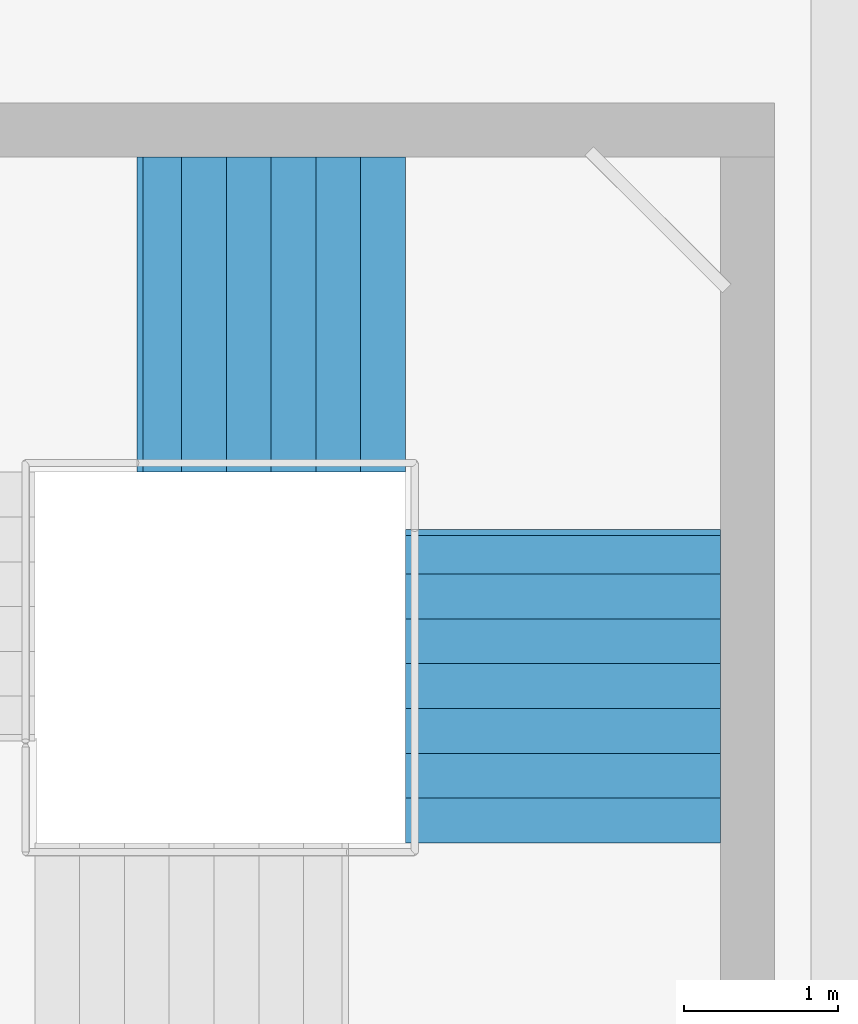
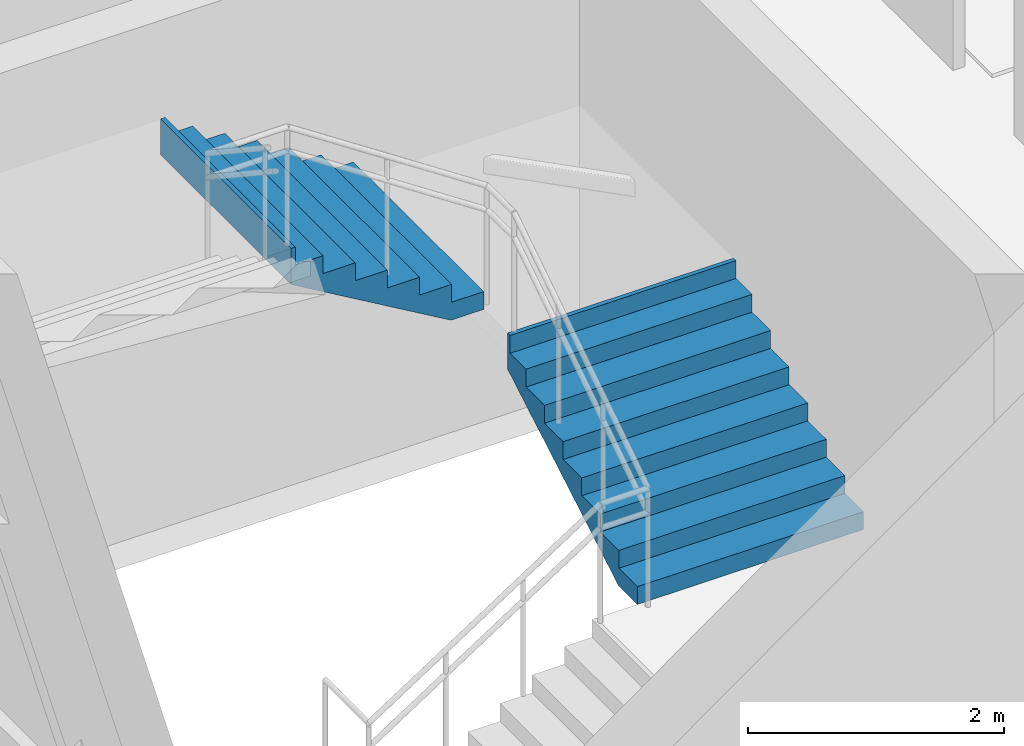
# One storey, part 51 of 58: 2 stair flights, 1 element without a shape of its own.
"""IFC4 building model written with IfcOpenShell, lengths in metres."""

from ifc_helpers import new_model, si_unit, direction, frame, origin, place, context, subcontext, project, spatial, triangles, material, type_object, element, aggregate, save


model = new_model("IFC4")

# Units and contexts
model_context = context("Model", 3, precision=1e-05, world=origin(), true_north=direction((0.0, 1.0)))
body_context = subcontext(model_context, "Body", "Model", "MODEL_VIEW")
ifc_project = project(units=[si_unit("LENGTHUNIT", "METRE"), si_unit("AREAUNIT", "SQUARE_METRE"), si_unit("VOLUMEUNIT", "CUBIC_METRE"), si_unit("PLANEANGLEUNIT", "RADIAN"), si_unit("MASSUNIT", "GRAM", prefix="KILO")], contexts=[model_context])

# Site, building, storey
site_placement = place(None, origin())
site = spatial("IfcSite", under=ifc_project, at=site_placement, CompositionType="ELEMENT")
building_placement = place(site_placement, origin())
building = spatial("IfcBuilding", under=site, at=building_placement, Name="Sillaruma Civic Art Gallery", CompositionType="ELEMENT")
storey_placement = place(building_placement, frame((0.0, 0.0, 52.02001953125)))
storey = spatial("IfcBuildingStorey", under=building, at=storey_placement, Name="L10", CompositionType="ELEMENT", Elevation=52.02001953125)

# Stair, stair flights
ifc_material = material(Name="Concrete H35 (35 MPa)", Category="concrete")
stair_type = type_object("IfcStairType", Name="STR-4F-30", PredefinedType="USERDEFINED", material=ifc_material)
stair_placement = place(storey_placement, origin())
stair = element("IfcStair", 1, at=stair_placement, inside=storey, type_object=stair_type, Name="Protected Exit Stair ST-03 (West Bar South) (L10)", ObjectType="THREE_RETURN_STAIR", PredefinedType="USERDEFINED")
stair_flight_type_1 = type_object("IfcStairFlightType", Name="SFL-STR-7", PredefinedType="STRAIGHT", material=ifc_material)
stair_flight_1_placement = place(storey_placement, frame((67.199951171875, 36.8701171875, 2.719970703125), z_axis=(0.0, 0.0, 1.0), x_axis=(-1.0, 0.0, 0.0)))
stair_flight_1 = element("IfcStairFlight", 2, at=stair_flight_1_placement, type_object=stair_flight_type_1, Name="ST-03 flight 3", NumberOfRisers=7, NumberOfTreads=6, PredefinedType="STRAIGHT", RiserHeight=0.17, TreadLength=0.29, context=body_context, shape_type="Tessellation", body=[
    triangles([(0.0, -1.02001953125, 0.0), (0.29, -1.02001953125, 0.0), (0.296404, -1.02001953125, 0.0), (0.58, -1.02001953125, 0.166246), (0.87, -1.02001953125, 0.336246), (1.16, -1.02001953125, 0.506246), (1.45, -1.02001953125, 0.676246), (1.69999, -1.02001953125, 0.822792), (1.73999, -1.02001953125, 0.84624), (1.73999, -1.02001953125, 1.19), (1.69999, -1.02001953125, 1.19), (1.69999, -1.02001953125, 1.02), (1.45, -1.02001953125, 1.02), (1.45, -1.02001953125, 0.85), (1.16, -1.02001953125, 0.85), (1.16, -1.02001953125, 0.68), (0.87, -1.02001953125, 0.68), (0.87, -1.02001953125, 0.51), (0.58, -1.02001953125, 0.51), (0.58, -1.02001953125, 0.34), (0.296404, -1.02001953125, 0.34), (0.29, -1.02001953125, 0.34), (0.29, -1.02001953125, 0.17), (0.0, -1.02001953125, 0.17), (0.0, -0.05, 0.0), (0.29, -0.05, 0.0), (0.296404, -0.05, 0.0), (0.58, -0.05, 0.166246), (0.87, -0.05, 0.336246), (1.16, -0.05, 0.506246), (1.45, -0.05, 0.676246), (1.69999, -0.05, 0.822792), (1.73999, -0.05, 0.84624), (1.73999, -0.05, 1.19), (1.69999, -0.05, 1.19), (1.69999, -0.05, 1.02), (1.45, -0.05, 1.02), (1.45, -0.05, 0.85), (1.16, -0.05, 0.85), (1.16, -0.05, 0.68), (0.87, -0.05, 0.68), (0.87, -0.05, 0.51), (0.58, -0.05, 0.51), (0.58, -0.05, 0.34), (0.296404, -0.05, 0.34), (0.29, -0.05, 0.34), (0.29, -0.05, 0.17), (0.0, -0.05, 0.17), (0.0, -0.0375, 0.0), (0.29, -0.0375, 0.0), (0.296404, -0.0375, 0.0), (0.58, -0.0375, 0.166246), (0.87, -0.0375, 0.336246), (1.16, -0.0375, 0.506246), (1.45, -0.0375, 0.676246), (1.69999, -0.0375, 0.822792), (1.73999, -0.0375, 0.84624), (1.73999, -0.0375, 1.19), (1.69999, -0.0375, 1.19), (1.69999, -0.0375, 1.02), (1.45, -0.0375, 1.02), (1.45, -0.0375, 0.85), (1.16, -0.0375, 0.85), (1.16, -0.0375, 0.68), (0.87, -0.0375, 0.68), (0.87, -0.0375, 0.51), (0.58, -0.0375, 0.51), (0.58, -0.0375, 0.34), (0.296404, -0.0375, 0.34), (0.29, -0.0375, 0.34), (0.29, -0.0375, 0.17), (0.0, -0.0375, 0.17), (0.0, -0.025, 0.0), (0.29, -0.025, 0.0), (0.296404, -0.025, 0.0), (0.58, -0.025, 0.166246), (0.87, -0.025, 0.336246), (1.16, -0.025, 0.506246), (1.45, -0.025, 0.676246), (1.69999, -0.025, 0.822792), (1.73999, -0.025, 0.84624), (1.73999, -0.025, 1.19), (1.69999, -0.025, 1.19), (1.69999, -0.025, 1.02), (1.45, -0.025, 1.02), (1.45, -0.025, 0.85), (1.16, -0.025, 0.85), (1.16, -0.025, 0.68), (0.87, -0.025, 0.68), (0.87, -0.025, 0.51), (0.58, -0.025, 0.51), (0.58, -0.025, 0.34), (0.296404, -0.025, 0.34), (0.29, -0.025, 0.34), (0.29, -0.025, 0.17), (0.0, -0.025, 0.17), (0.0, -0.0125, 0.0), (0.29, -0.0125, 0.0), (0.296404, -0.0125, 0.0), (0.58, -0.0125, 0.166246), (0.87, -0.0125, 0.336246), (1.16, -0.0125, 0.506246), (1.45, -0.0125, 0.676246), (1.69999, -0.0125, 0.822792), (1.73999, -0.0125, 0.84624), (1.73999, -0.0125, 1.19), (1.69999, -0.0125, 1.19), (1.69999, -0.0125, 1.02), (1.45, -0.0125, 1.02), (1.45, -0.0125, 0.85), (1.16, -0.0125, 0.85), (1.16, -0.0125, 0.68), (0.87, -0.0125, 0.68), (0.87, -0.0125, 0.51), (0.58, -0.0125, 0.51), (0.58, -0.0125, 0.34), (0.296404, -0.0125, 0.34), (0.29, -0.0125, 0.34), (0.29, -0.0125, 0.17), (0.0, -0.0125, 0.17), (0.0, 0.0, 0.0), (0.29, 0.0, 0.0), (0.296404, 0.0, 0.0), (0.58, 0.0, 0.166246), (0.87, 0.0, 0.336246), (1.16, 0.0, 0.506246), (1.45, 0.0, 0.676246), (1.69999, 0.0, 0.822792), (1.73999, 0.0, 0.84624), (1.73999, 0.0, 1.19), (1.69999, 0.0, 1.19), (1.69999, 0.0, 1.02), (1.45, 0.0, 1.02), (1.45, 0.0, 0.85), (1.16, 0.0, 0.85), (1.16, 0.0, 0.68), (0.87, 0.0, 0.68), (0.87, 0.0, 0.51), (0.58, 0.0, 0.51), (0.58, 0.0, 0.34), (0.296404, 0.0, 0.34), (0.29, 0.0, 0.34), (0.29, 0.0, 0.17), (0.0, 0.0, 0.17), (0.0, 0.0125, 0.0), (0.29, 0.0125, 0.0), (0.296404, 0.0125, 0.0), (0.58, 0.0125, 0.166246), (0.87, 0.0125, 0.336246), (1.16, 0.0125, 0.506246), (1.45, 0.0125, 0.676246), (1.69999, 0.0125, 0.822792), (1.73999, 0.0125, 0.84624), (1.73999, 0.0125, 1.19), (1.69999, 0.0125, 1.19), (1.69999, 0.0125, 1.02), (1.45, 0.0125, 1.02), (1.45, 0.0125, 0.85), (1.16, 0.0125, 0.85), (1.16, 0.0125, 0.68), (0.87, 0.0125, 0.68), (0.87, 0.0125, 0.51), (0.58, 0.0125, 0.51), (0.58, 0.0125, 0.34), (0.296404, 0.0125, 0.34), (0.29, 0.0125, 0.34), (0.29, 0.0125, 0.17), (0.0, 0.0125, 0.17), (0.0, 0.025, 0.0), (0.29, 0.025, 0.0), (0.296404, 0.025, 0.0), (0.58, 0.025, 0.166246), (0.87, 0.025, 0.336246), (1.16, 0.025, 0.506246), (1.45, 0.025, 0.676246), (1.69999, 0.025, 0.822792), (1.73999, 0.025, 0.84624), (1.73999, 0.025, 1.19), (1.69999, 0.025, 1.19), (1.69999, 0.025, 1.02), (1.45, 0.025, 1.02), (1.45, 0.025, 0.85), (1.16, 0.025, 0.85), (1.16, 0.025, 0.68), (0.87, 0.025, 0.68), (0.87, 0.025, 0.51), (0.58, 0.025, 0.51), (0.58, 0.025, 0.34), (0.296404, 0.025, 0.34), (0.29, 0.025, 0.34), (0.29, 0.025, 0.17), (0.0, 0.025, 0.17), (0.0, 0.0375, 0.0), (0.29, 0.0375, 0.0), (0.296404, 0.0375, 0.0), (0.58, 0.0375, 0.166246), (0.87, 0.0375, 0.336246), (1.16, 0.0375, 0.506246), (1.45, 0.0375, 0.676246), (1.69999, 0.0375, 0.822792), (1.73999, 0.0375, 0.84624), (1.73999, 0.0375, 1.19), (1.69999, 0.0375, 1.19), (1.69999, 0.0375, 1.02), (1.45, 0.0375, 1.02), (1.45, 0.0375, 0.85), (1.16, 0.0375, 0.85), (1.16, 0.0375, 0.68), (0.87, 0.0375, 0.68), (0.87, 0.0375, 0.51), (0.58, 0.0375, 0.51), (0.58, 0.0375, 0.34), (0.296404, 0.0375, 0.34), (0.29, 0.0375, 0.34), (0.29, 0.0375, 0.17), (0.0, 0.0375, 0.17), (0.0, 0.05, 0.0), (0.29, 0.05, 0.0), (0.296404, 0.05, 0.0), (0.58, 0.05, 0.166246), (0.87, 0.05, 0.336246), (1.16, 0.05, 0.506246), (1.45, 0.05, 0.676246), (1.69999, 0.05, 0.822792), (1.73999, 0.05, 0.84624), (1.73999, 0.05, 1.19), (1.69999, 0.05, 1.19), (1.69999, 0.05, 1.02), (1.45, 0.05, 1.02), (1.45, 0.05, 0.85), (1.16, 0.05, 0.85), (1.16, 0.05, 0.68), (0.87, 0.05, 0.68), (0.87, 0.05, 0.51), (0.58, 0.05, 0.51), (0.58, 0.05, 0.34), (0.296404, 0.05, 0.34), (0.29, 0.05, 0.34), (0.29, 0.05, 0.17), (0.0, 0.05, 0.17), (0.0, 1.02001953125, 0.0), (0.29, 1.02001953125, 0.0), (0.296404, 1.02001953125, 0.0), (0.58, 1.02001953125, 0.166246), (0.87, 1.02001953125, 0.336246), (1.16, 1.02001953125, 0.506246), (1.45, 1.02001953125, 0.676246), (1.69999, 1.02001953125, 0.822792), (1.73999, 1.02001953125, 0.84624), (1.73999, 1.02001953125, 1.19), (1.69999, 1.02001953125, 1.19), (1.69999, 1.02001953125, 1.02), (1.45, 1.02001953125, 1.02), (1.45, 1.02001953125, 0.85), (1.16, 1.02001953125, 0.85), (1.16, 1.02001953125, 0.68), (0.87, 1.02001953125, 0.68), (0.87, 1.02001953125, 0.51), (0.58, 1.02001953125, 0.51), (0.58, 1.02001953125, 0.34), (0.296404, 1.02001953125, 0.34), (0.29, 1.02001953125, 0.34), (0.29, 1.02001953125, 0.17), (0.0, 1.02001953125, 0.17)], [[1, 2, 23], [1, 23, 24], [2, 3, 21], [2, 21, 23], [23, 21, 22], [3, 4, 20], [3, 20, 21], [4, 5, 18], [4, 18, 20], [20, 18, 19], [5, 6, 16], [5, 16, 18], [18, 16, 17], [6, 7, 14], [6, 14, 16], [16, 14, 15], [7, 8, 12], [7, 12, 14], [14, 12, 13], [8, 9, 10], [8, 10, 12], [12, 10, 11], [263, 242, 241], [264, 263, 241], [261, 243, 242], [263, 261, 242], [262, 261, 263], [260, 244, 243], [261, 260, 243], [258, 245, 244], [260, 258, 244], [259, 258, 260], [256, 246, 245], [258, 256, 245], [257, 256, 258], [254, 247, 246], [256, 254, 246], [255, 254, 256], [252, 248, 247], [254, 252, 247], [253, 252, 254], [250, 249, 248], [252, 250, 248], [251, 250, 252], [2, 1, 25], [2, 25, 26], [3, 2, 26], [3, 26, 27], [4, 3, 27], [4, 27, 28], [5, 4, 28], [5, 28, 29], [6, 5, 29], [6, 29, 30], [7, 6, 30], [7, 30, 31], [8, 7, 31], [8, 31, 32], [9, 8, 32], [9, 32, 33], [10, 9, 33], [10, 33, 34], [11, 10, 34], [11, 34, 35], [12, 11, 35], [12, 35, 36], [13, 12, 36], [13, 36, 37], [14, 13, 37], [14, 37, 38], [15, 14, 38], [15, 38, 39], [16, 15, 39], [16, 39, 40], [17, 16, 40], [17, 40, 41], [18, 17, 41], [18, 41, 42], [19, 18, 42], [19, 42, 43], [20, 19, 43], [20, 43, 44], [21, 20, 44], [21, 44, 45], [22, 21, 45], [22, 45, 46], [23, 22, 46], [23, 46, 47], [24, 23, 47], [24, 47, 48], [1, 24, 48], [1, 48, 25], [26, 25, 49], [26, 49, 50], [27, 26, 50], [27, 50, 51], [28, 27, 51], [28, 51, 52], [29, 28, 52], [29, 52, 53], [30, 29, 53], [30, 53, 54], [31, 30, 54], [31, 54, 55], [32, 31, 55], [32, 55, 56], [33, 32, 56], [33, 56, 57], [34, 33, 57], [34, 57, 58], [35, 34, 58], [35, 58, 59], [36, 35, 59], [36, 59, 60], [37, 36, 60], [37, 60, 61], [38, 37, 61], [38, 61, 62], [39, 38, 62], [39, 62, 63], [40, 39, 63], [40, 63, 64], [41, 40, 64], [41, 64, 65], [42, 41, 65], [42, 65, 66], [43, 42, 66], [43, 66, 67], [44, 43, 67], [44, 67, 68], [45, 44, 68], [45, 68, 69], [46, 45, 69], [46, 69, 70], [47, 46, 70], [47, 70, 71], [48, 47, 71], [48, 71, 72], [25, 48, 72], [25, 72, 49], [50, 49, 73], [50, 73, 74], [51, 50, 74], [51, 74, 75], [52, 51, 75], [52, 75, 76], [53, 52, 76], [53, 76, 77], [54, 53, 77], [54, 77, 78], [55, 54, 78], [55, 78, 79], [56, 55, 79], [56, 79, 80], [57, 56, 80], [57, 80, 81], [58, 57, 81], [58, 81, 82], [59, 58, 82], [59, 82, 83], [60, 59, 83], [60, 83, 84], [61, 60, 84], [61, 84, 85], [62, 61, 85], [62, 85, 86], [63, 62, 86], [63, 86, 87], [64, 63, 87], [64, 87, 88], [65, 64, 88], [65, 88, 89], [66, 65, 89], [66, 89, 90], [67, 66, 90], [67, 90, 91], [68, 67, 91], [68, 91, 92], [69, 68, 92], [69, 92, 93], [70, 69, 93], [70, 93, 94], [71, 70, 94], [71, 94, 95], [72, 71, 95], [72, 95, 96], [49, 72, 96], [49, 96, 73], [74, 73, 97], [74, 97, 98], [75, 74, 98], [75, 98, 99], [76, 75, 99], [76, 99, 100], [77, 76, 100], [77, 100, 101], [78, 77, 101], [78, 101, 102], [79, 78, 102], [79, 102, 103], [80, 79, 103], [80, 103, 104], [81, 80, 104], [81, 104, 105], [82, 81, 105], [82, 105, 106], [83, 82, 106], [83, 106, 107], [84, 83, 107], [84, 107, 108], [85, 84, 108], [85, 108, 109], [86, 85, 109], [86, 109, 110], [87, 86, 110], [87, 110, 111], [88, 87, 111], [88, 111, 112], [89, 88, 112], [89, 112, 113], [90, 89, 113], [90, 113, 114], [91, 90, 114], [91, 114, 115], [92, 91, 115], [92, 115, 116], [93, 92, 116], [93, 116, 117], [94, 93, 117], [94, 117, 118], [95, 94, 118], [95, 118, 119], [96, 95, 119], [96, 119, 120], [73, 96, 120], [73, 120, 97], [98, 97, 121], [98, 121, 122], [99, 98, 122], [99, 122, 123], [100, 99, 123], [100, 123, 124], [101, 100, 124], [101, 124, 125], [102, 101, 125], [102, 125, 126], [103, 102, 126], [103, 126, 127], [104, 103, 127], [104, 127, 128], [105, 104, 128], [105, 128, 129], [106, 105, 129], [106, 129, 130], [107, 106, 130], [107, 130, 131], [108, 107, 131], [108, 131, 132], [109, 108, 132], [109, 132, 133], [110, 109, 133], [110, 133, 134], [111, 110, 134], [111, 134, 135], [112, 111, 135], [112, 135, 136], [113, 112, 136], [113, 136, 137], [114, 113, 137], [114, 137, 138], [115, 114, 138], [115, 138, 139], [116, 115, 139], [116, 139, 140], [117, 116, 140], [117, 140, 141], [118, 117, 141], [118, 141, 142], [119, 118, 142], [119, 142, 143], [120, 119, 143], [120, 143, 144], [97, 120, 144], [97, 144, 121], [122, 121, 145], [122, 145, 146], [123, 122, 146], [123, 146, 147], [124, 123, 147], [124, 147, 148], [125, 124, 148], [125, 148, 149], [126, 125, 149], [126, 149, 150], [127, 126, 150], [127, 150, 151], [128, 127, 151], [128, 151, 152], [129, 128, 152], [129, 152, 153], [130, 129, 153], [130, 153, 154], [131, 130, 154], [131, 154, 155], [132, 131, 155], [132, 155, 156], [133, 132, 156], [133, 156, 157], [134, 133, 157], [134, 157, 158], [135, 134, 158], [135, 158, 159], [136, 135, 159], [136, 159, 160], [137, 136, 160], [137, 160, 161], [138, 137, 161], [138, 161, 162], [139, 138, 162], [139, 162, 163], [140, 139, 163], [140, 163, 164], [141, 140, 164], [141, 164, 165], [142, 141, 165], [142, 165, 166], [143, 142, 166], [143, 166, 167], [144, 143, 167], [144, 167, 168], [121, 144, 168], [121, 168, 145], [146, 145, 169], [146, 169, 170], [147, 146, 170], [147, 170, 171], [148, 147, 171], [148, 171, 172], [149, 148, 172], [149, 172, 173], [150, 149, 173], [150, 173, 174], [151, 150, 174], [151, 174, 175], [152, 151, 175], [152, 175, 176], [153, 152, 176], [153, 176, 177], [154, 153, 177], [154, 177, 178], [155, 154, 178], [155, 178, 179], [156, 155, 179], [156, 179, 180], [157, 156, 180], [157, 180, 181], [158, 157, 181], [158, 181, 182], [159, 158, 182], [159, 182, 183], [160, 159, 183], [160, 183, 184], [161, 160, 184], [161, 184, 185], [162, 161, 185], [162, 185, 186], [163, 162, 186], [163, 186, 187], [164, 163, 187], [164, 187, 188], [165, 164, 188], [165, 188, 189], [166, 165, 189], [166, 189, 190], [167, 166, 190], [167, 190, 191], [168, 167, 191], [168, 191, 192], [145, 168, 192], [145, 192, 169], [170, 169, 193], [170, 193, 194], [171, 170, 194], [171, 194, 195], [172, 171, 195], [172, 195, 196], [173, 172, 196], [173, 196, 197], [174, 173, 197], [174, 197, 198], [175, 174, 198], [175, 198, 199], [176, 175, 199], [176, 199, 200], [177, 176, 200], [177, 200, 201], [178, 177, 201], [178, 201, 202], [179, 178, 202], [179, 202, 203], [180, 179, 203], [180, 203, 204], [181, 180, 204], [181, 204, 205], [182, 181, 205], [182, 205, 206], [183, 182, 206], [183, 206, 207], [184, 183, 207], [184, 207, 208], [185, 184, 208], [185, 208, 209], [186, 185, 209], [186, 209, 210], [187, 186, 210], [187, 210, 211], [188, 187, 211], [188, 211, 212], [189, 188, 212], [189, 212, 213], [190, 189, 213], [190, 213, 214], [191, 190, 214], [191, 214, 215], [192, 191, 215], [192, 215, 216], [169, 192, 216], [169, 216, 193], [194, 193, 217], [194, 217, 218], [195, 194, 218], [195, 218, 219], [196, 195, 219], [196, 219, 220], [197, 196, 220], [197, 220, 221], [198, 197, 221], [198, 221, 222], [199, 198, 222], [199, 222, 223], [200, 199, 223], [200, 223, 224], [201, 200, 224], [201, 224, 225], [202, 201, 225], [202, 225, 226], [203, 202, 226], [203, 226, 227], [204, 203, 227], [204, 227, 228], [205, 204, 228], [205, 228, 229], [206, 205, 229], [206, 229, 230], [207, 206, 230], [207, 230, 231], [208, 207, 231], [208, 231, 232], [209, 208, 232], [209, 232, 233], [210, 209, 233], [210, 233, 234], [211, 210, 234], [211, 234, 235], [212, 211, 235], [212, 235, 236], [213, 212, 236], [213, 236, 237], [214, 213, 237], [214, 237, 238], [215, 214, 238], [215, 238, 239], [216, 215, 239], [216, 239, 240], [193, 216, 240], [193, 240, 217], [218, 217, 241], [218, 241, 242], [219, 218, 242], [219, 242, 243], [220, 219, 243], [220, 243, 244], [221, 220, 244], [221, 244, 245], [222, 221, 245], [222, 245, 246], [223, 222, 246], [223, 246, 247], [224, 223, 247], [224, 247, 248], [225, 224, 248], [225, 248, 249], [226, 225, 249], [226, 249, 250], [227, 226, 250], [227, 250, 251], [228, 227, 251], [228, 251, 252], [229, 228, 252], [229, 252, 253], [230, 229, 253], [230, 253, 254], [231, 230, 254], [231, 254, 255], [232, 231, 255], [232, 255, 256], [233, 232, 256], [233, 256, 257], [234, 233, 257], [234, 257, 258], [235, 234, 258], [235, 258, 259], [236, 235, 259], [236, 259, 260], [237, 236, 260], [237, 260, 261], [238, 237, 261], [238, 261, 262], [239, 238, 262], [239, 262, 263], [240, 239, 263], [240, 263, 264], [217, 240, 264], [217, 264, 241]], closed=True),
])
stair_flight_type_2 = type_object("IfcStairFlightType", Name="SFL-STR-8", PredefinedType="STRAIGHT", material=ifc_material)
stair_flight_2_placement = place(storey_placement, frame((68.219970703125, 33.449951171875, 1.35986328125), z_axis=(0.0, 0.0, 1.0), x_axis=(0.0, 1.0, 0.0)))
stair_flight_2 = element("IfcStairFlight", 3, at=stair_flight_2_placement, type_object=stair_flight_type_2, Name="ST-03 flight 2", NumberOfRisers=8, NumberOfTreads=7, PredefinedType="STRAIGHT", RiserHeight=0.17, TreadLength=0.29, context=body_context, shape_type="Tessellation", body=[
    triangles([(0.0, -1.02001953125, 0.0), (0.29, -1.02001953125, 0.0), (0.296443, -1.02001953125, 0.0), (0.58, -1.02001953125, 0.166223), (0.87, -1.02001953125, 0.336223), (1.16, -1.02001953125, 0.506223), (1.45, -1.02001953125, 0.676223), (1.74, -1.02001953125, 0.846223), (1.990029, -1.02001953125, 0.992792), (2.030029, -1.02001953125, 1.01624), (2.030029, -1.02001953125, 1.36), (1.990029, -1.02001953125, 1.36), (1.990029, -1.02001953125, 1.19), (1.74, -1.02001953125, 1.19), (1.74, -1.02001953125, 1.02), (1.45, -1.02001953125, 1.02), (1.45, -1.02001953125, 0.85), (1.16, -1.02001953125, 0.85), (1.16, -1.02001953125, 0.68), (0.87, -1.02001953125, 0.68), (0.87, -1.02001953125, 0.51), (0.58, -1.02001953125, 0.51), (0.58, -1.02001953125, 0.34), (0.296443, -1.02001953125, 0.34), (0.29, -1.02001953125, 0.34), (0.29, -1.02001953125, 0.17), (0.0, -1.02001953125, 0.17), (0.0, -0.05, 0.0), (0.29, -0.05, 0.0), (0.296443, -0.05, 0.0), (0.58, -0.05, 0.166223), (0.87, -0.05, 0.336223), (1.16, -0.05, 0.506223), (1.45, -0.05, 0.676223), (1.74, -0.05, 0.846223), (1.990029, -0.05, 0.992792), (2.030029, -0.05, 1.01624), (2.030029, -0.05, 1.36), (1.990029, -0.05, 1.36), (1.990029, -0.05, 1.19), (1.74, -0.05, 1.19), (1.74, -0.05, 1.02), (1.45, -0.05, 1.02), (1.45, -0.05, 0.85), (1.16, -0.05, 0.85), (1.16, -0.05, 0.68), (0.87, -0.05, 0.68), (0.87, -0.05, 0.51), (0.58, -0.05, 0.51), (0.58, -0.05, 0.34), (0.296443, -0.05, 0.34), (0.29, -0.05, 0.34), (0.29, -0.05, 0.17), (0.0, -0.05, 0.17), (0.0, -0.0375, 0.0), (0.29, -0.0375, 0.0), (0.296443, -0.0375, 0.0), (0.58, -0.0375, 0.166223), (0.87, -0.0375, 0.336223), (1.16, -0.0375, 0.506223), (1.45, -0.0375, 0.676223), (1.74, -0.0375, 0.846223), (1.990029, -0.0375, 0.992792), (2.030029, -0.0375, 1.01624), (2.030029, -0.0375, 1.36), (1.990029, -0.0375, 1.36), (1.990029, -0.0375, 1.19), (1.74, -0.0375, 1.19), (1.74, -0.0375, 1.02), (1.45, -0.0375, 1.02), (1.45, -0.0375, 0.85), (1.16, -0.0375, 0.85), (1.16, -0.0375, 0.68), (0.87, -0.0375, 0.68), (0.87, -0.0375, 0.51), (0.58, -0.0375, 0.51), (0.58, -0.0375, 0.34), (0.296443, -0.0375, 0.34), (0.29, -0.0375, 0.34), (0.29, -0.0375, 0.17), (0.0, -0.0375, 0.17), (0.0, -0.025, 0.0), (0.29, -0.025, 0.0), (0.296443, -0.025, 0.0), (0.58, -0.025, 0.166223), (0.87, -0.025, 0.336223), (1.16, -0.025, 0.506223), (1.45, -0.025, 0.676223), (1.74, -0.025, 0.846223), (1.990029, -0.025, 0.992792), (2.030029, -0.025, 1.01624), (2.030029, -0.025, 1.36), (1.990029, -0.025, 1.36), (1.990029, -0.025, 1.19), (1.74, -0.025, 1.19), (1.74, -0.025, 1.02), (1.45, -0.025, 1.02), (1.45, -0.025, 0.85), (1.16, -0.025, 0.85), (1.16, -0.025, 0.68), (0.87, -0.025, 0.68), (0.87, -0.025, 0.51), (0.58, -0.025, 0.51), (0.58, -0.025, 0.34), (0.296443, -0.025, 0.34), (0.29, -0.025, 0.34), (0.29, -0.025, 0.17), (0.0, -0.025, 0.17), (0.0, -0.0125, 0.0), (0.29, -0.0125, 0.0), (0.296443, -0.0125, 0.0), (0.58, -0.0125, 0.166223), (0.87, -0.0125, 0.336223), (1.16, -0.0125, 0.506223), (1.45, -0.0125, 0.676223), (1.74, -0.0125, 0.846223), (1.990029, -0.0125, 0.992792), (2.030029, -0.0125, 1.01624), (2.030029, -0.0125, 1.36), (1.990029, -0.0125, 1.36), (1.990029, -0.0125, 1.19), (1.74, -0.0125, 1.19), (1.74, -0.0125, 1.02), (1.45, -0.0125, 1.02), (1.45, -0.0125, 0.85), (1.16, -0.0125, 0.85), (1.16, -0.0125, 0.68), (0.87, -0.0125, 0.68), (0.87, -0.0125, 0.51), (0.58, -0.0125, 0.51), (0.58, -0.0125, 0.34), (0.296443, -0.0125, 0.34), (0.29, -0.0125, 0.34), (0.29, -0.0125, 0.17), (0.0, -0.0125, 0.17), (0.0, 0.0, 0.0), (0.29, 0.0, 0.0), (0.296443, 0.0, 0.0), (0.58, 0.0, 0.166223), (0.87, 0.0, 0.336223), (1.16, 0.0, 0.506223), (1.45, 0.0, 0.676223), (1.74, 0.0, 0.846223), (1.990029, 0.0, 0.992792), (2.030029, 0.0, 1.01624), (2.030029, 0.0, 1.36), (1.990029, 0.0, 1.36), (1.990029, 0.0, 1.19), (1.74, 0.0, 1.19), (1.74, 0.0, 1.02), (1.45, 0.0, 1.02), (1.45, 0.0, 0.85), (1.16, 0.0, 0.85), (1.16, 0.0, 0.68), (0.87, 0.0, 0.68), (0.87, 0.0, 0.51), (0.58, 0.0, 0.51), (0.58, 0.0, 0.34), (0.296443, 0.0, 0.34), (0.29, 0.0, 0.34), (0.29, 0.0, 0.17), (0.0, 0.0, 0.17), (0.0, 0.0125, 0.0), (0.29, 0.0125, 0.0), (0.296443, 0.0125, 0.0), (0.58, 0.0125, 0.166223), (0.87, 0.0125, 0.336223), (1.16, 0.0125, 0.506223), (1.45, 0.0125, 0.676223), (1.74, 0.0125, 0.846223), (1.990029, 0.0125, 0.992792), (2.030029, 0.0125, 1.01624), (2.030029, 0.0125, 1.36), (1.990029, 0.0125, 1.36), (1.990029, 0.0125, 1.19), (1.74, 0.0125, 1.19), (1.74, 0.0125, 1.02), (1.45, 0.0125, 1.02), (1.45, 0.0125, 0.85), (1.16, 0.0125, 0.85), (1.16, 0.0125, 0.68), (0.87, 0.0125, 0.68), (0.87, 0.0125, 0.51), (0.58, 0.0125, 0.51), (0.58, 0.0125, 0.34), (0.296443, 0.0125, 0.34), (0.29, 0.0125, 0.34), (0.29, 0.0125, 0.17), (0.0, 0.0125, 0.17), (0.0, 0.025, 0.0), (0.29, 0.025, 0.0), (0.296443, 0.025, 0.0), (0.58, 0.025, 0.166223), (0.87, 0.025, 0.336223), (1.16, 0.025, 0.506223), (1.45, 0.025, 0.676223), (1.74, 0.025, 0.846223), (1.990029, 0.025, 0.992792), (2.030029, 0.025, 1.01624), (2.030029, 0.025, 1.36), (1.990029, 0.025, 1.36), (1.990029, 0.025, 1.19), (1.74, 0.025, 1.19), (1.74, 0.025, 1.02), (1.45, 0.025, 1.02), (1.45, 0.025, 0.85), (1.16, 0.025, 0.85), (1.16, 0.025, 0.68), (0.87, 0.025, 0.68), (0.87, 0.025, 0.51), (0.58, 0.025, 0.51), (0.58, 0.025, 0.34), (0.296443, 0.025, 0.34), (0.29, 0.025, 0.34), (0.29, 0.025, 0.17), (0.0, 0.025, 0.17), (0.0, 0.0375, 0.0), (0.29, 0.0375, 0.0), (0.296443, 0.0375, 0.0), (0.58, 0.0375, 0.166223), (0.87, 0.0375, 0.336223), (1.16, 0.0375, 0.506223), (1.45, 0.0375, 0.676223), (1.74, 0.0375, 0.846223), (1.990029, 0.0375, 0.992792), (2.030029, 0.0375, 1.01624), (2.030029, 0.0375, 1.36), (1.990029, 0.0375, 1.36), (1.990029, 0.0375, 1.19), (1.74, 0.0375, 1.19), (1.74, 0.0375, 1.02), (1.45, 0.0375, 1.02), (1.45, 0.0375, 0.85), (1.16, 0.0375, 0.85), (1.16, 0.0375, 0.68), (0.87, 0.0375, 0.68), (0.87, 0.0375, 0.51), (0.58, 0.0375, 0.51), (0.58, 0.0375, 0.34), (0.296443, 0.0375, 0.34), (0.29, 0.0375, 0.34), (0.29, 0.0375, 0.17), (0.0, 0.0375, 0.17), (0.0, 0.05, 0.0), (0.29, 0.05, 0.0), (0.296443, 0.05, 0.0), (0.58, 0.05, 0.166223), (0.87, 0.05, 0.336223), (1.16, 0.05, 0.506223), (1.45, 0.05, 0.676223), (1.74, 0.05, 0.846223), (1.990029, 0.05, 0.992792), (2.030029, 0.05, 1.01624), (2.030029, 0.05, 1.36), (1.990029, 0.05, 1.36), (1.990029, 0.05, 1.19), (1.74, 0.05, 1.19), (1.74, 0.05, 1.02), (1.45, 0.05, 1.02), (1.45, 0.05, 0.85), (1.16, 0.05, 0.85), (1.16, 0.05, 0.68), (0.87, 0.05, 0.68), (0.87, 0.05, 0.51), (0.58, 0.05, 0.51), (0.58, 0.05, 0.34), (0.296443, 0.05, 0.34), (0.29, 0.05, 0.34), (0.29, 0.05, 0.17), (0.0, 0.05, 0.17), (0.0, 1.02001953125, 0.0), (0.29, 1.02001953125, 0.0), (0.296443, 1.02001953125, 0.0), (0.58, 1.02001953125, 0.166223), (0.87, 1.02001953125, 0.336223), (1.16, 1.02001953125, 0.506223), (1.45, 1.02001953125, 0.676223), (1.74, 1.02001953125, 0.846223), (1.990029, 1.02001953125, 0.992792), (2.030029, 1.02001953125, 1.01624), (2.030029, 1.02001953125, 1.36), (1.990029, 1.02001953125, 1.36), (1.990029, 1.02001953125, 1.19), (1.74, 1.02001953125, 1.19), (1.74, 1.02001953125, 1.02), (1.45, 1.02001953125, 1.02), (1.45, 1.02001953125, 0.85), (1.16, 1.02001953125, 0.85), (1.16, 1.02001953125, 0.68), (0.87, 1.02001953125, 0.68), (0.87, 1.02001953125, 0.51), (0.58, 1.02001953125, 0.51), (0.58, 1.02001953125, 0.34), (0.296443, 1.02001953125, 0.34), (0.29, 1.02001953125, 0.34), (0.29, 1.02001953125, 0.17), (0.0, 1.02001953125, 0.17)], [[1, 2, 26], [1, 26, 27], [2, 3, 24], [2, 24, 26], [26, 24, 25], [3, 4, 23], [3, 23, 24], [4, 5, 21], [4, 21, 23], [23, 21, 22], [5, 6, 19], [5, 19, 21], [21, 19, 20], [6, 7, 17], [6, 17, 19], [19, 17, 18], [7, 8, 15], [7, 15, 17], [17, 15, 16], [8, 9, 13], [8, 13, 15], [15, 13, 14], [9, 10, 11], [9, 11, 13], [13, 11, 12], [296, 272, 271], [297, 296, 271], [294, 273, 272], [296, 294, 272], [295, 294, 296], [293, 274, 273], [294, 293, 273], [291, 275, 274], [293, 291, 274], [292, 291, 293], [289, 276, 275], [291, 289, 275], [290, 289, 291], [287, 277, 276], [289, 287, 276], [288, 287, 289], [285, 278, 277], [287, 285, 277], [286, 285, 287], [283, 279, 278], [285, 283, 278], [284, 283, 285], [281, 280, 279], [283, 281, 279], [282, 281, 283], [2, 1, 28], [2, 28, 29], [3, 2, 29], [3, 29, 30], [4, 3, 30], [4, 30, 31], [5, 4, 31], [5, 31, 32], [6, 5, 32], [6, 32, 33], [7, 6, 33], [7, 33, 34], [8, 7, 34], [8, 34, 35], [9, 8, 35], [9, 35, 36], [10, 9, 36], [10, 36, 37], [11, 10, 37], [11, 37, 38], [12, 11, 38], [12, 38, 39], [13, 12, 39], [13, 39, 40], [14, 13, 40], [14, 40, 41], [15, 14, 41], [15, 41, 42], [16, 15, 42], [16, 42, 43], [17, 16, 43], [17, 43, 44], [18, 17, 44], [18, 44, 45], [19, 18, 45], [19, 45, 46], [20, 19, 46], [20, 46, 47], [21, 20, 47], [21, 47, 48], [22, 21, 48], [22, 48, 49], [23, 22, 49], [23, 49, 50], [24, 23, 50], [24, 50, 51], [25, 24, 51], [25, 51, 52], [26, 25, 52], [26, 52, 53], [27, 26, 53], [27, 53, 54], [1, 27, 54], [1, 54, 28], [29, 28, 55], [29, 55, 56], [30, 29, 56], [30, 56, 57], [31, 30, 57], [31, 57, 58], [32, 31, 58], [32, 58, 59], [33, 32, 59], [33, 59, 60], [34, 33, 60], [34, 60, 61], [35, 34, 61], [35, 61, 62], [36, 35, 62], [36, 62, 63], [37, 36, 63], [37, 63, 64], [38, 37, 64], [38, 64, 65], [39, 38, 65], [39, 65, 66], [40, 39, 66], [40, 66, 67], [41, 40, 67], [41, 67, 68], [42, 41, 68], [42, 68, 69], [43, 42, 69], [43, 69, 70], [44, 43, 70], [44, 70, 71], [45, 44, 71], [45, 71, 72], [46, 45, 72], [46, 72, 73], [47, 46, 73], [47, 73, 74], [48, 47, 74], [48, 74, 75], [49, 48, 75], [49, 75, 76], [50, 49, 76], [50, 76, 77], [51, 50, 77], [51, 77, 78], [52, 51, 78], [52, 78, 79], [53, 52, 79], [53, 79, 80], [54, 53, 80], [54, 80, 81], [28, 54, 81], [28, 81, 55], [56, 55, 82], [56, 82, 83], [57, 56, 83], [57, 83, 84], [58, 57, 84], [58, 84, 85], [59, 58, 85], [59, 85, 86], [60, 59, 86], [60, 86, 87], [61, 60, 87], [61, 87, 88], [62, 61, 88], [62, 88, 89], [63, 62, 89], [63, 89, 90], [64, 63, 90], [64, 90, 91], [65, 64, 91], [65, 91, 92], [66, 65, 92], [66, 92, 93], [67, 66, 93], [67, 93, 94], [68, 67, 94], [68, 94, 95], [69, 68, 95], [69, 95, 96], [70, 69, 96], [70, 96, 97], [71, 70, 97], [71, 97, 98], [72, 71, 98], [72, 98, 99], [73, 72, 99], [73, 99, 100], [74, 73, 100], [74, 100, 101], [75, 74, 101], [75, 101, 102], [76, 75, 102], [76, 102, 103], [77, 76, 103], [77, 103, 104], [78, 77, 104], [78, 104, 105], [79, 78, 105], [79, 105, 106], [80, 79, 106], [80, 106, 107], [81, 80, 107], [81, 107, 108], [55, 81, 108], [55, 108, 82], [83, 82, 109], [83, 109, 110], [84, 83, 110], [84, 110, 111], [85, 84, 111], [85, 111, 112], [86, 85, 112], [86, 112, 113], [87, 86, 113], [87, 113, 114], [88, 87, 114], [88, 114, 115], [89, 88, 115], [89, 115, 116], [90, 89, 116], [90, 116, 117], [91, 90, 117], [91, 117, 118], [92, 91, 118], [92, 118, 119], [93, 92, 119], [93, 119, 120], [94, 93, 120], [94, 120, 121], [95, 94, 121], [95, 121, 122], [96, 95, 122], [96, 122, 123], [97, 96, 123], [97, 123, 124], [98, 97, 124], [98, 124, 125], [99, 98, 125], [99, 125, 126], [100, 99, 126], [100, 126, 127], [101, 100, 127], [101, 127, 128], [102, 101, 128], [102, 128, 129], [103, 102, 129], [103, 129, 130], [104, 103, 130], [104, 130, 131], [105, 104, 131], [105, 131, 132], [106, 105, 132], [106, 132, 133], [107, 106, 133], [107, 133, 134], [108, 107, 134], [108, 134, 135], [82, 108, 135], [82, 135, 109], [110, 109, 136], [110, 136, 137], [111, 110, 137], [111, 137, 138], [112, 111, 138], [112, 138, 139], [113, 112, 139], [113, 139, 140], [114, 113, 140], [114, 140, 141], [115, 114, 141], [115, 141, 142], [116, 115, 142], [116, 142, 143], [117, 116, 143], [117, 143, 144], [118, 117, 144], [118, 144, 145], [119, 118, 145], [119, 145, 146], [120, 119, 146], [120, 146, 147], [121, 120, 147], [121, 147, 148], [122, 121, 148], [122, 148, 149], [123, 122, 149], [123, 149, 150], [124, 123, 150], [124, 150, 151], [125, 124, 151], [125, 151, 152], [126, 125, 152], [126, 152, 153], [127, 126, 153], [127, 153, 154], [128, 127, 154], [128, 154, 155], [129, 128, 155], [129, 155, 156], [130, 129, 156], [130, 156, 157], [131, 130, 157], [131, 157, 158], [132, 131, 158], [132, 158, 159], [133, 132, 159], [133, 159, 160], [134, 133, 160], [134, 160, 161], [135, 134, 161], [135, 161, 162], [109, 135, 162], [109, 162, 136], [137, 136, 163], [137, 163, 164], [138, 137, 164], [138, 164, 165], [139, 138, 165], [139, 165, 166], [140, 139, 166], [140, 166, 167], [141, 140, 167], [141, 167, 168], [142, 141, 168], [142, 168, 169], [143, 142, 169], [143, 169, 170], [144, 143, 170], [144, 170, 171], [145, 144, 171], [145, 171, 172], [146, 145, 172], [146, 172, 173], [147, 146, 173], [147, 173, 174], [148, 147, 174], [148, 174, 175], [149, 148, 175], [149, 175, 176], [150, 149, 176], [150, 176, 177], [151, 150, 177], [151, 177, 178], [152, 151, 178], [152, 178, 179], [153, 152, 179], [153, 179, 180], [154, 153, 180], [154, 180, 181], [155, 154, 181], [155, 181, 182], [156, 155, 182], [156, 182, 183], [157, 156, 183], [157, 183, 184], [158, 157, 184], [158, 184, 185], [159, 158, 185], [159, 185, 186], [160, 159, 186], [160, 186, 187], [161, 160, 187], [161, 187, 188], [162, 161, 188], [162, 188, 189], [136, 162, 189], [136, 189, 163], [164, 163, 190], [164, 190, 191], [165, 164, 191], [165, 191, 192], [166, 165, 192], [166, 192, 193], [167, 166, 193], [167, 193, 194], [168, 167, 194], [168, 194, 195], [169, 168, 195], [169, 195, 196], [170, 169, 196], [170, 196, 197], [171, 170, 197], [171, 197, 198], [172, 171, 198], [172, 198, 199], [173, 172, 199], [173, 199, 200], [174, 173, 200], [174, 200, 201], [175, 174, 201], [175, 201, 202], [176, 175, 202], [176, 202, 203], [177, 176, 203], [177, 203, 204], [178, 177, 204], [178, 204, 205], [179, 178, 205], [179, 205, 206], [180, 179, 206], [180, 206, 207], [181, 180, 207], [181, 207, 208], [182, 181, 208], [182, 208, 209], [183, 182, 209], [183, 209, 210], [184, 183, 210], [184, 210, 211], [185, 184, 211], [185, 211, 212], [186, 185, 212], [186, 212, 213], [187, 186, 213], [187, 213, 214], [188, 187, 214], [188, 214, 215], [189, 188, 215], [189, 215, 216], [163, 189, 216], [163, 216, 190], [191, 190, 217], [191, 217, 218], [192, 191, 218], [192, 218, 219], [193, 192, 219], [193, 219, 220], [194, 193, 220], [194, 220, 221], [195, 194, 221], [195, 221, 222], [196, 195, 222], [196, 222, 223], [197, 196, 223], [197, 223, 224], [198, 197, 224], [198, 224, 225], [199, 198, 225], [199, 225, 226], [200, 199, 226], [200, 226, 227], [201, 200, 227], [201, 227, 228], [202, 201, 228], [202, 228, 229], [203, 202, 229], [203, 229, 230], [204, 203, 230], [204, 230, 231], [205, 204, 231], [205, 231, 232], [206, 205, 232], [206, 232, 233], [207, 206, 233], [207, 233, 234], [208, 207, 234], [208, 234, 235], [209, 208, 235], [209, 235, 236], [210, 209, 236], [210, 236, 237], [211, 210, 237], [211, 237, 238], [212, 211, 238], [212, 238, 239], [213, 212, 239], [213, 239, 240], [214, 213, 240], [214, 240, 241], [215, 214, 241], [215, 241, 242], [216, 215, 242], [216, 242, 243], [190, 216, 243], [190, 243, 217], [218, 217, 244], [218, 244, 245], [219, 218, 245], [219, 245, 246], [220, 219, 246], [220, 246, 247], [221, 220, 247], [221, 247, 248], [222, 221, 248], [222, 248, 249], [223, 222, 249], [223, 249, 250], [224, 223, 250], [224, 250, 251], [225, 224, 251], [225, 251, 252], [226, 225, 252], [226, 252, 253], [227, 226, 253], [227, 253, 254], [228, 227, 254], [228, 254, 255], [229, 228, 255], [229, 255, 256], [230, 229, 256], [230, 256, 257], [231, 230, 257], [231, 257, 258], [232, 231, 258], [232, 258, 259], [233, 232, 259], [233, 259, 260], [234, 233, 260], [234, 260, 261], [235, 234, 261], [235, 261, 262], [236, 235, 262], [236, 262, 263], [237, 236, 263], [237, 263, 264], [238, 237, 264], [238, 264, 265], [239, 238, 265], [239, 265, 266], [240, 239, 266], [240, 266, 267], [241, 240, 267], [241, 267, 268], [242, 241, 268], [242, 268, 269], [243, 242, 269], [243, 269, 270], [217, 243, 270], [217, 270, 244], [245, 244, 271], [245, 271, 272], [246, 245, 272], [246, 272, 273], [247, 246, 273], [247, 273, 274], [248, 247, 274], [248, 274, 275], [249, 248, 275], [249, 275, 276], [250, 249, 276], [250, 276, 277], [251, 250, 277], [251, 277, 278], [252, 251, 278], [252, 278, 279], [253, 252, 279], [253, 279, 280], [254, 253, 280], [254, 280, 281], [255, 254, 281], [255, 281, 282], [256, 255, 282], [256, 282, 283], [257, 256, 283], [257, 283, 284], [258, 257, 284], [258, 284, 285], [259, 258, 285], [259, 285, 286], [260, 259, 286], [260, 286, 287], [261, 260, 287], [261, 287, 288], [262, 261, 288], [262, 288, 289], [263, 262, 289], [263, 289, 290], [264, 263, 290], [264, 290, 291], [265, 264, 291], [265, 291, 292], [266, 265, 292], [266, 292, 293], [267, 266, 293], [267, 293, 294], [268, 267, 294], [268, 294, 295], [269, 268, 295], [269, 295, 296], [270, 269, 296], [270, 296, 297], [244, 270, 297], [244, 297, 271]], closed=True),
])
aggregate(stair, [stair_flight_2, stair_flight_1])

save(model, "model.ifc")
